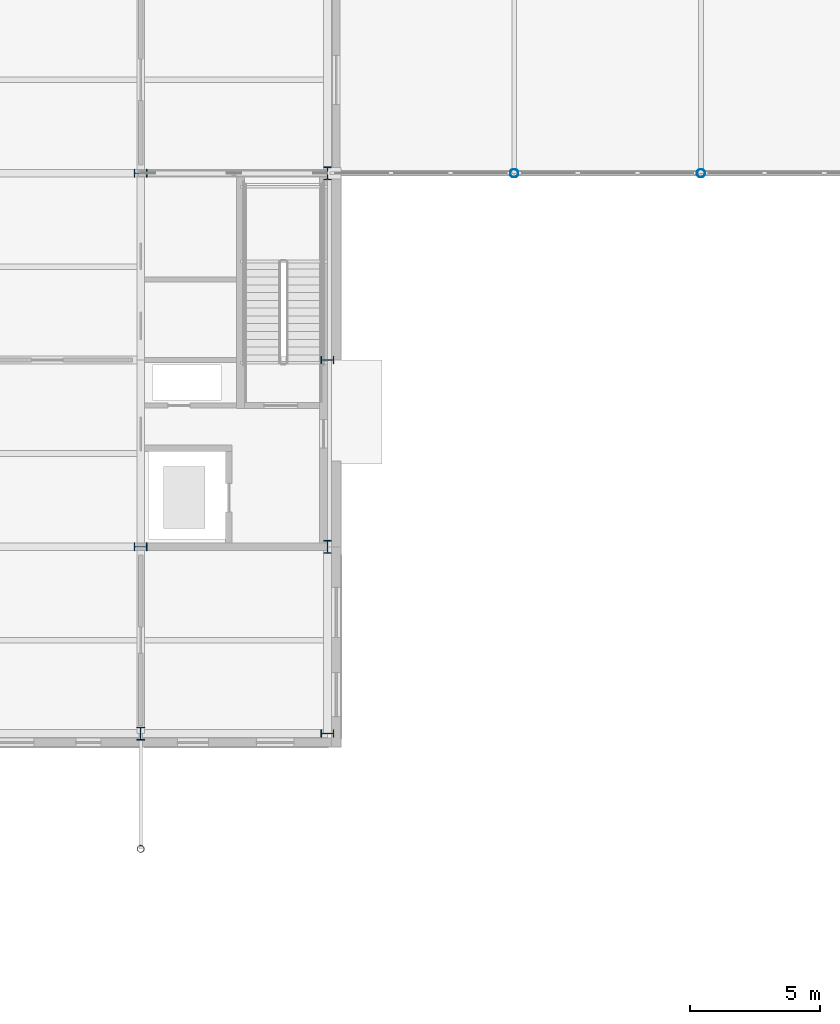
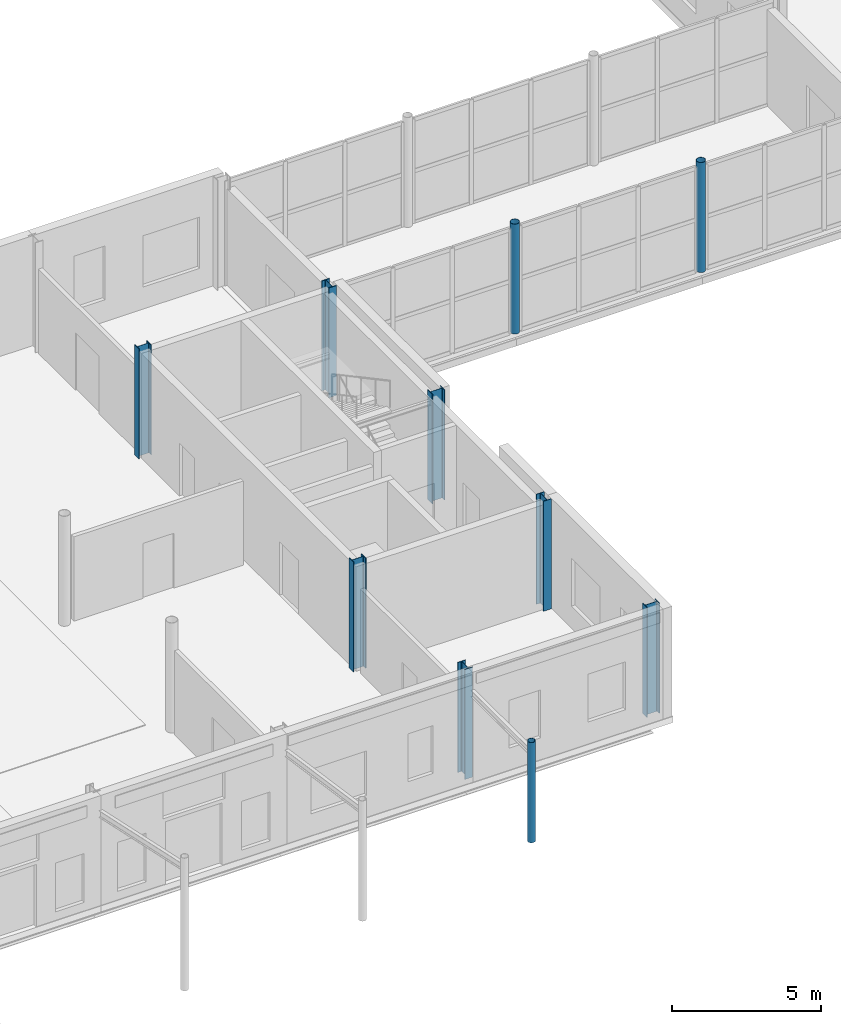
# One storey, part 7 of 92: 10 columns.
"""IFC4 building model written with IfcOpenShell, lengths in metres."""

from ifc_helpers import new_model, si_unit, direction, frame, origin, origin_2d, place, context, subcontext, project, spatial, hollow_circle, i_section, extrude, material, material_profile, profile_set, type_object, element, save


model = new_model("IFC4")

# Units and contexts
model_context = context("Model", 3, precision=1e-05, world=origin(), true_north=direction((0.0, 1.0)))
body_context = subcontext(model_context, "Body", "Model", "MODEL_VIEW")
ifc_project = project(units=[si_unit("LENGTHUNIT", "METRE"), si_unit("AREAUNIT", "SQUARE_METRE"), si_unit("VOLUMEUNIT", "CUBIC_METRE"), si_unit("PLANEANGLEUNIT", "RADIAN"), si_unit("MASSUNIT", "GRAM", prefix="KILO")], contexts=[model_context])

# Site, building, storey
site_placement = place(None, origin())
site = spatial("IfcSite", under=ifc_project, at=site_placement, CompositionType="ELEMENT")
building_placement = place(site_placement, origin())
building = spatial("IfcBuilding", under=site, at=building_placement, Name="Zlatovets Crest Museum", CompositionType="ELEMENT")
storey_placement = place(building_placement, origin())
storey = spatial("IfcBuildingStorey", under=building, at=storey_placement, Name="L00", CompositionType="ELEMENT", Elevation=0.0)

# Columns
ifc_material = material(Name="Structural steel S355J2", Category="steel")
ifc_material_profile_1 = material_profile(ifc_material, i_section(OverallWidth=0.300048828125, OverallDepth=0.5, WebThickness=0.014404296875, FlangeThickness=0.028076171875, FilletRadius=0.027099609375, at=origin_2d()), Name="HEB 500")
ifc_profile_set_1 = profile_set([ifc_material_profile_1], Name="Structural steel S355J2")
column_type_1 = type_object("IfcColumnType", Name="Col_C-05", PredefinedType="COLUMN", material=ifc_profile_set_1)
for number, where, z_axis, x_axis, name in (
    (1, (100.800048828125, 0.0, 0.0), (0.0, 0.0, 1.0), (1.0, 0.0, 0.0), "V2 L00 Column (100.8, 0.0)"),
    (2, (100.800048828125, 7.199951171875, 0.0), (0.0, 0.0, 1.0), (0.0, 1.0, 0.0), "V2 L00 Column (100.8, 7.2)"),
    (3, (100.800048828125, 21.60009765625, 0.0), (0.0, 0.0, 1.0), (0.0, 1.0, 0.0), "V2 L00 Column (100.8, 21.6)"),
    (4, (108.0, 0.0, 0.0), (0.0, 0.0, 1.0), (0.0, 1.0, 0.0), "V2 L00 Column (108.0, 0.0)"),
    (5, (108.0, 7.199951171875, 0.0), (0.0, 0.0, 1.0), (1.0, 0.0, 0.0), "V2 L00 Column (108.0, 7.2)"),
    (6, (108.0, 14.39990234375, 0.0), (0.0, 0.0, 1.0), (0.0, 1.0, 0.0), "V2 L00 Column (108.0, 14.4)"),
    (7, (108.0, 21.60009765625, 0.0), (0.0, 0.0, 1.0), (1.0, 0.0, 0.0), "V2 L00 Column (108.0, 21.6)"),
):
    element("IfcColumn", number, at=place(storey_placement, frame(where, z_axis=z_axis, x_axis=x_axis)), inside=storey, type_object=column_type_1, Name=name, PredefinedType="COLUMN", context=body_context, shape_type="SweptSolid", body=[
        extrude(i_section(OverallWidth=0.300048828125, OverallDepth=0.5, WebThickness=0.014404296875, FlangeThickness=0.028076171875, FilletRadius=0.027099609375, at=origin_2d()), origin(), (0.0, 0.0, 1.0), 4.5),
    ])
ifc_material_profile_2 = material_profile(ifc_material, hollow_circle(Radius=0.161865234375, WallThickness=0.012451171875, at=origin_2d()), Name="CHS 323.9x12.5")
ifc_profile_set_2 = profile_set([ifc_material_profile_2], Name="Structural steel S355J2")
column_type_2 = type_object("IfcColumnType", Name="Col_C-13", PredefinedType="COLUMN", material=ifc_profile_set_2)
for number, where, z_axis, x_axis, name in (
    (8, (115.199951171875, 21.60009765625, 0.0), (0.0, 0.0, 1.0), (1.0, 0.0, 0.0), "Southeast Archive Glazed Link Bridge Portal Column"),
    (9, (122.39990234375, 21.60009765625, 0.0), (0.0, 0.0, 1.0), (1.0, 0.0, 0.0), "Southeast Archive Glazed Link Bridge Portal Column"),
):
    element("IfcColumn", number, at=place(storey_placement, frame(where, z_axis=z_axis, x_axis=x_axis)), inside=storey, type_object=column_type_2, Name=name, PredefinedType="COLUMN", context=body_context, shape_type="SweptSolid", body=[
        extrude(hollow_circle(Radius=0.161865234375, WallThickness=0.012451171875, at=origin_2d()), origin(), (0.0, 0.0, 1.0), 4.5),
    ])
ifc_material_profile_3 = material_profile(ifc_material, hollow_circle(Radius=0.136474609375, WallThickness=0.012451171875, at=origin_2d()), Name="CHS 273.0x12.5")
ifc_profile_set_3 = profile_set([ifc_material_profile_3], Name="Structural steel S355J2")
column_type_3 = type_object("IfcColumnType", Name="Col_C-14", PredefinedType="COLUMN", material=ifc_profile_set_3)
column_placement = place(storey_placement, frame((100.800048828125, -4.448486328125, 0.0), z_axis=(0.0, 0.0, 1.0), x_axis=(1.0, 0.0, 0.0)))
element("IfcColumn", 10, at=column_placement, inside=storey, type_object=column_type_3, Name="Art Nouveau Entrance Marquee Bronze Column", PredefinedType="COLUMN", context=body_context, shape_type="SweptSolid", body=[
    extrude(hollow_circle(Radius=0.136474609375, WallThickness=0.012451171875, at=origin_2d()), origin(), (0.0, 0.0, 1.0), 4.10009765625),
])

save(model, "model.ifc")
